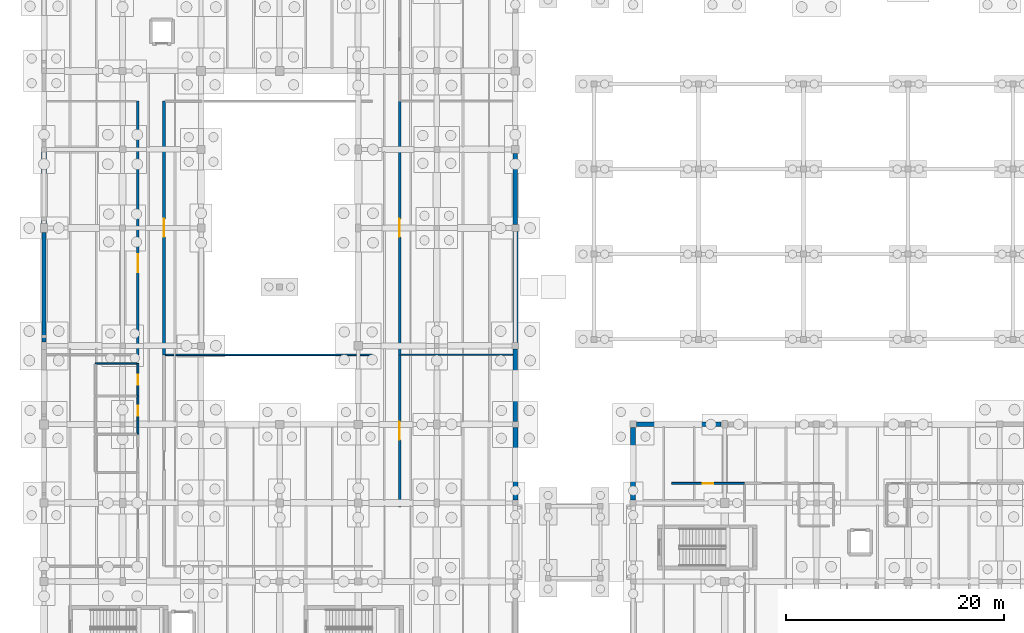
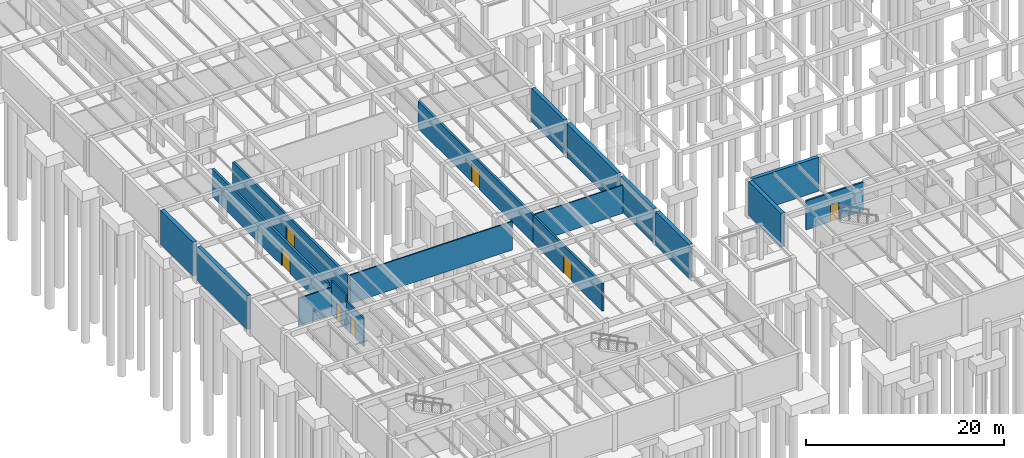
# One storey, part 41 of 63: 18 walls, 7 doors, 7 openings.
"""IFC4 building model written with IfcOpenShell, lengths in metres."""

from ifc_helpers import new_model, si_unit, direction, frame, frame_2d, origin, place, context, subcontext, project, spatial, rectangle, extrude, material, layer, layer_set, type_object, element, fill, save


model = new_model("IFC4")

# Units and contexts
model_context = context("Model", 3, precision=1e-05, world=origin(), true_north=direction((0.0, 1.0)))
body_context = subcontext(model_context, "Body", "Model", "MODEL_VIEW")
ifc_project = project(units=[si_unit("LENGTHUNIT", "METRE"), si_unit("AREAUNIT", "SQUARE_METRE"), si_unit("VOLUMEUNIT", "CUBIC_METRE"), si_unit("PLANEANGLEUNIT", "RADIAN"), si_unit("MASSUNIT", "GRAM", prefix="KILO")], contexts=[model_context])

# Site, building, storey
site_placement = place(None, origin())
site = spatial("IfcSite", under=ifc_project, at=site_placement, CompositionType="ELEMENT")
building_placement = place(site_placement, origin())
building = spatial("IfcBuilding", under=site, at=building_placement, Name="Mazaris Harbour Polytechnic", CompositionType="ELEMENT")
storey_placement = place(building_placement, frame((0.0, 0.0, -4.5)))
storey = spatial("IfcBuildingStorey", under=building, at=storey_placement, Name="B1", CompositionType="ELEMENT", Elevation=-4.5)

# Wall
ifc_material_1 = material(Name="Gypsum Board and Mineral Wool")
ifc_layer_1 = layer(ifc_material_1, 0.1201171875, Name="Gypsum Board and Mineral Wool")
ifc_layer_set_1 = layer_set([ifc_layer_1], Name="Gypsum Board and Mineral Wool")
wall_type_1 = type_object("IfcWallType", Name="Acoustic Stud Partition 120", PredefinedType="PARTITIONING", material=ifc_layer_set_1)
wall_1_placement = place(storey_placement, frame((32.72998046875, 42.375, 0.0), z_axis=(0.0, 0.0, 1.0), x_axis=(1.0, 0.0, 0.0)))
element("IfcWall", 1, at=wall_1_placement, inside=storey, type_object=wall_type_1, Name="V4 B1 Partition 274", PredefinedType="PARTITIONING", context=body_context, shape_type="SweptSolid", body=[
    extrude(rectangle(XDim=10.219970703125, YDim=0.1201171875, at=frame_2d((5.10986328125, 0.0))), origin(), (0.0, 0.0, 1.0), 3.47998046875),
])

# Wall, opening, door
ifc_material_2 = material(Name="Concrete C35/45", Category="concrete")
ifc_layer_2 = layer(ifc_material_2, 0.239990234375, Name="Concrete C35/45")
ifc_layer_set_2 = layer_set([ifc_layer_2], Name="Concrete C35/45")
wall_type_2 = type_object("IfcWallType", Name="Archive Vault Fire Wall 240", PredefinedType="STANDARD", material=ifc_layer_set_2)
wall_2_placement = place(storey_placement, frame((8.60009765625, 42.375, 0.0), z_axis=(0.0, 0.0, 1.0), x_axis=(0.0, 1.0, 0.0)))
wall_2 = element("IfcWall", 2, at=wall_2_placement, inside=storey, type_object=wall_type_2, Name="V4 B1 Partition 257", PredefinedType="STANDARD", context=body_context, shape_type="SweptSolid", body=[
    extrude(rectangle(XDim=23.25, YDim=0.239990234375, at=frame_2d((11.625, 0.0))), origin(), (0.0, 0.0, 1.0), 3.429931640625),
])
opening_1_placement = place(wall_2_placement, frame((7.56005859375, 0.0, 0.0)))
opening_1 = element("IfcOpeningElement", 3, at=opening_1_placement, cuts=wall_2, Name="Opening ID-06D", PredefinedType="OPENING", context=body_context, shape_type="SweptSolid", body=[
    extrude(rectangle(XDim=1.64990234375, YDim=2.25, at=frame_2d((0.824951171875, 1.125))), frame((0.0, 0.1298828125, 0.0), z_axis=(0.0, -1.0, 0.0), x_axis=(1.0, 0.0, 0.0)), (0.0, 0.0, 1.0), 0.260009765625),
])
ifc_material_3 = material(Name="Galvanised Steel S355", Category="steel")
door_type_1 = type_object("IfcDoorType", Name="Plant and Substation Double Door 1650x2250", OperationType="DOUBLE_DOOR_SINGLE_SWING", PredefinedType="DOOR", material=ifc_material_3)
door_1_placement = place(opening_1_placement, origin())
door_1 = element("IfcDoor", 4, at=door_1_placement, inside=storey, type_object=door_type_1, Name="ID-0116", OperationType="DOUBLE_DOOR_SINGLE_SWING", OverallHeight=2.25, OverallWidth=1.64990234375, PredefinedType="DOOR", context=body_context, shape_type="SweptSolid", body=[
    extrude(rectangle(XDim=1.64990234375, YDim=2.25, at=frame_2d((0.824951171875, 1.125))), frame((0.0, 0.02490234375, 0.0), z_axis=(0.0, -1.0, 0.0), x_axis=(1.0, 0.0, 0.0)), (0.0, 0.0, 1.0), 0.050048828125),
])
fill(opening_1, door_1)

wall_3_placement = place(storey_placement, frame((11.0, 42.3798828125, 0.0), z_axis=(0.0, 0.0, 1.0), x_axis=(0.0, 1.0, 0.0)))
wall_3 = element("IfcWall", 5, at=wall_3_placement, inside=storey, type_object=wall_type_2, Name="V4 B1 Partition 266", PredefinedType="STANDARD", context=body_context, shape_type="SweptSolid", body=[
    extrude(rectangle(XDim=23.2451171875, YDim=0.239990234375, at=frame_2d((11.62255859375, 0.0))), origin(), (0.0, 0.0, 1.0), 3.429931640625),
])
opening_2_placement = place(wall_3_placement, frame((10.797607421875, 0.0, 0.0)))
opening_2 = element("IfcOpeningElement", 6, at=opening_2_placement, cuts=wall_3, Name="Opening ID-06D", PredefinedType="OPENING", context=body_context, shape_type="SweptSolid", body=[
    extrude(rectangle(XDim=1.64990234375, YDim=2.25, at=frame_2d((0.824951171875, 1.125))), frame((0.0, 0.1298828125, 0.0), z_axis=(0.0, -1.0, 0.0), x_axis=(1.0, 0.0, 0.0)), (0.0, 0.0, 1.0), 0.260009765625),
])
door_2_placement = place(opening_2_placement, origin())
door_2 = element("IfcDoor", 7, at=door_2_placement, inside=storey, type_object=door_type_1, Name="ID-0121", OperationType="DOUBLE_DOOR_SINGLE_SWING", OverallHeight=2.25, OverallWidth=1.64990234375, PredefinedType="DOOR", context=body_context, shape_type="SweptSolid", body=[
    extrude(rectangle(XDim=1.64990234375, YDim=2.25, at=frame_2d((0.824951171875, 1.125))), frame((0.0, 0.02490234375, 0.0), z_axis=(0.0, -1.0, 0.0), x_axis=(1.0, 0.0, 0.0)), (0.0, 0.0, 1.0), 0.050048828125),
])
fill(opening_2, door_2)

wall_4_placement = place(storey_placement, frame((32.60009765625, 28.419921875, 0.0), z_axis=(0.0, 0.0, 1.0), x_axis=(0.0, 1.0, 0.0)))
wall_4 = element("IfcWall", 8, at=wall_4_placement, inside=storey, type_object=wall_type_2, Name="V4 B1 Partition 273", PredefinedType="STANDARD", context=body_context, shape_type="SweptSolid", body=[
    extrude(rectangle(XDim=13.955078125, YDim=0.239990234375, at=frame_2d((6.9775390625, 0.0))), origin(), (0.0, 0.0, 1.0), 3.3798828125),
])
opening_3_placement = place(wall_4_placement, frame((6.152587890625, 0.0, 0.0)))
opening_3 = element("IfcOpeningElement", 9, at=opening_3_placement, cuts=wall_4, Name="Opening ID-06D", PredefinedType="OPENING", context=body_context, shape_type="SweptSolid", body=[
    extrude(rectangle(XDim=1.64990234375, YDim=2.25, at=frame_2d((0.824951171875, 1.125))), frame((0.0, 0.1298828125, 0.0), z_axis=(0.0, -1.0, 0.0), x_axis=(1.0, 0.0, 0.0)), (0.0, 0.0, 1.0), 0.260009765625),
])
door_3_placement = place(opening_3_placement, origin())
door_3 = element("IfcDoor", 10, at=door_3_placement, inside=storey, type_object=door_type_1, Name="ID-0125", OperationType="DOUBLE_DOOR_SINGLE_SWING", OverallHeight=2.25, OverallWidth=1.64990234375, PredefinedType="DOOR", context=body_context, shape_type="SweptSolid", body=[
    extrude(rectangle(XDim=1.64990234375, YDim=2.25, at=frame_2d((0.824951171875, 1.125))), frame((0.0, 0.02490234375, 0.0), z_axis=(0.0, -1.0, 0.0), x_axis=(1.0, 0.0, 0.0)), (0.0, 0.0, 1.0), 0.050048828125),
])
fill(opening_3, door_3)

wall_5_placement = place(storey_placement, frame((32.60009765625, 42.3798828125, 0.0), z_axis=(0.0, 0.0, 1.0), x_axis=(0.0, 1.0, 0.0)))
wall_5 = element("IfcWall", 11, at=wall_5_placement, inside=storey, type_object=wall_type_2, Name="V4 B1 Partition 275", PredefinedType="STANDARD", context=body_context, shape_type="SweptSolid", body=[
    extrude(rectangle(XDim=23.2451171875, YDim=0.239990234375, at=frame_2d((11.62255859375, 0.0))), origin(), (0.0, 0.0, 1.0), 3.3798828125),
])
opening_4_placement = place(wall_5_placement, frame((10.797607421875, 0.0, 0.0)))
opening_4 = element("IfcOpeningElement", 12, at=opening_4_placement, cuts=wall_5, Name="Opening ID-06D", PredefinedType="OPENING", context=body_context, shape_type="SweptSolid", body=[
    extrude(rectangle(XDim=1.64990234375, YDim=2.25, at=frame_2d((0.824951171875, 1.125))), frame((0.0, 0.1298828125, 0.0), z_axis=(0.0, -1.0, 0.0), x_axis=(1.0, 0.0, 0.0)), (0.0, 0.0, 1.0), 0.260009765625),
])
door_4_placement = place(opening_4_placement, origin())
door_4 = element("IfcDoor", 13, at=door_4_placement, inside=storey, type_object=door_type_1, Name="ID-0126", OperationType="DOUBLE_DOOR_SINGLE_SWING", OverallHeight=2.25, OverallWidth=1.64990234375, PredefinedType="DOOR", context=body_context, shape_type="SweptSolid", body=[
    extrude(rectangle(XDim=1.64990234375, YDim=2.25, at=frame_2d((0.824951171875, 1.125))), frame((0.0, 0.02490234375, 0.0), z_axis=(0.0, -1.0, 0.0), x_axis=(1.0, 0.0, 0.0)), (0.0, 0.0, 1.0), 0.050048828125),
])
fill(opening_4, door_4)

# Wall
ifc_material_4 = material(Name="Double Gypsum and Mineral Wool")
ifc_layer_3 = layer(ifc_material_4, 0.14990234375, Name="Double Gypsum and Mineral Wool")
ifc_layer_set_3 = layer_set([ifc_layer_3], Name="Double Gypsum and Mineral Wool")
wall_type_3 = type_object("IfcWallType", Name="Classroom Acoustic Partition 150", PredefinedType="PARTITIONING", material=ifc_layer_set_3)
wall_6_placement = place(storey_placement, frame((11.1298828125, 42.375, 0.0), z_axis=(0.0, 0.0, 1.0), x_axis=(1.0, 0.0, 0.0)))
element("IfcWall", 14, at=wall_6_placement, inside=storey, type_object=wall_type_3, Name="V4 B1 Partition 265", PredefinedType="PARTITIONING", context=body_context, shape_type="SweptSolid", body=[
    extrude(rectangle(XDim=18.9501953125, YDim=0.14990234375, at=frame_2d((9.47509765625, 0.0))), origin(), (0.0, 0.0, 1.0), 3.530029296875),
])

# Wall, opening, door
ifc_material_5 = material(Name="Terracotta Block and Plaster", Category="masonry")
ifc_layer_4 = layer(ifc_material_5, 0.179931640625, Name="Terracotta Block and Plaster")
ifc_layer_set_4 = layer_set([ifc_layer_4], Name="Terracotta Block and Plaster")
wall_type_4 = type_object("IfcWallType", Name="Corridor Fire Partition 180", PredefinedType="PARTITIONING", material=ifc_layer_set_4)
wall_7_placement = place(storey_placement, frame((57.52001953125, 30.60009765625, 0.0), z_axis=(0.0, 0.0, 1.0), x_axis=(1.0, 0.0, 0.0)))
wall_7 = element("IfcWall", 15, at=wall_7_placement, inside=storey, type_object=wall_type_4, Name="V3 B1 Partition 179", PredefinedType="PARTITIONING", context=body_context, shape_type="SweptSolid", body=[
    extrude(rectangle(XDim=6.677978515625, YDim=0.179931640625, at=frame_2d((3.3388671875, 0.0))), origin(), (0.0, 0.0, 1.0), 3.580078125),
])
opening_5_placement = place(wall_7_placement, frame((2.85888671875, 0.0, 0.0)))
opening_5 = element("IfcOpeningElement", 16, at=opening_5_placement, cuts=wall_7, Name="Opening ID-01R", PredefinedType="OPENING", context=body_context, shape_type="SweptSolid", body=[
    extrude(rectangle(XDim=0.9599609375, YDim=2.14990234375, at=frame_2d((0.47998046875, 1.074951171875))), frame((0.0, 0.099853515625, 0.0), z_axis=(0.0, -1.0, 0.0), x_axis=(1.0, 0.0, 0.0)), (0.0, 0.0, 1.0), 0.199951171875),
])
ifc_material_6 = material(Name="Solid Oak Timber", Category="wood")
door_type_2 = type_object("IfcDoorType", Name="Classroom Single Door RH 960x2150", OperationType="SINGLE_SWING_RIGHT", PredefinedType="DOOR", material=ifc_material_6)
door_5_placement = place(opening_5_placement, origin())
door_5 = element("IfcDoor", 17, at=door_5_placement, inside=storey, type_object=door_type_2, Name="ID-0083", OperationType="SINGLE_SWING_RIGHT", OverallHeight=2.14990234375, OverallWidth=0.9599609375, PredefinedType="DOOR", context=body_context, shape_type="SweptSolid", body=[
    extrude(rectangle(XDim=0.9599609375, YDim=2.14990234375, at=frame_2d((0.47998046875, 1.074951171875))), frame((0.0, 0.02490234375, 0.0), z_axis=(0.0, -1.0, 0.0), x_axis=(1.0, 0.0, 0.0)), (0.0, 0.0, 1.0), 0.050048828125),
])
fill(opening_5, door_5)

ifc_material_7 = material(Name="Moisture-Resistant Blockwork", Category="masonry")
ifc_layer_5 = layer(ifc_material_7, 0.175048828125, Name="Moisture-Resistant Blockwork")
ifc_layer_set_5 = layer_set([ifc_layer_5], Name="Moisture-Resistant Blockwork")
wall_type_5 = type_object("IfcWallType", Name="Laboratory Wet Service Wall 175", PredefinedType="PLUMBINGWALL", material=ifc_layer_set_5)
wall_8_placement = place(storey_placement, frame((8.60009765625, 35.10498046875, 0.0), z_axis=(0.0, 0.0, 1.0), x_axis=(0.0, 1.0, 0.0)))
wall_8 = element("IfcWall", 18, at=wall_8_placement, inside=storey, type_object=wall_type_5, Name="V4 B1 Partition 247", PredefinedType="PLUMBINGWALL", context=body_context, shape_type="SweptSolid", body=[
    extrude(rectangle(XDim=3.4951171875, YDim=0.175048828125, at=frame_2d((1.74755859375, 0.0))), origin(), (0.0, 0.0, 1.0), 3.47998046875),
])
opening_6_placement = place(wall_8_placement, frame((1.686767578125, 0.0, 0.0)))
opening_6 = element("IfcOpeningElement", 19, at=opening_6_placement, cuts=wall_8, Name="Opening ID-07R", PredefinedType="OPENING", context=body_context, shape_type="SweptSolid", body=[
    extrude(rectangle(XDim=0.89990234375, YDim=2.10009765625, at=frame_2d((0.449951171875, 1.050048828125))), frame((0.0, 0.097412109375, 0.0), z_axis=(0.0, -1.0, 0.0), x_axis=(1.0, 0.0, 0.0)), (0.0, 0.0, 1.0), 0.195068359375),
])
ifc_material_8 = material(Name="Moisture-Resistant Laminate Timber", Category="wood")
door_type_3 = type_object("IfcDoorType", Name="Sanitary Room Door RH 900x2100", OperationType="SINGLE_SWING_RIGHT", PredefinedType="DOOR", material=ifc_material_8)
door_6_placement = place(opening_6_placement, origin())
door_6 = element("IfcDoor", 20, at=door_6_placement, inside=storey, type_object=door_type_3, Name="ID-0112", OperationType="SINGLE_SWING_RIGHT", OverallHeight=2.10009765625, OverallWidth=0.89990234375, PredefinedType="DOOR", context=body_context, shape_type="SweptSolid", body=[
    extrude(rectangle(XDim=0.89990234375, YDim=2.10009765625, at=frame_2d((0.449951171875, 1.050048828125))), frame((0.0, 0.02490234375, 0.0), z_axis=(0.0, -1.0, 0.0), x_axis=(1.0, 0.0, 0.0)), (0.0, 0.0, 1.0), 0.050048828125),
])
fill(opening_6, door_6)

wall_9_placement = place(storey_placement, frame((8.60009765625, 38.60498046875, 0.0), z_axis=(0.0, 0.0, 1.0), x_axis=(0.0, 1.0, 0.0)))
wall_9 = element("IfcWall", 21, at=wall_9_placement, inside=storey, type_object=wall_type_5, Name="V4 B1 Partition 250", PredefinedType="PLUMBINGWALL", context=body_context, shape_type="SweptSolid", body=[
    extrude(rectangle(XDim=2.9951171875, YDim=0.175048828125, at=frame_2d((1.49755859375, 0.0))), origin(), (0.0, 0.0, 1.0), 4.179931640625),
])
opening_7_placement = place(wall_9_placement, frame((1.03759765625, 0.0, 0.0)))
opening_7 = element("IfcOpeningElement", 22, at=opening_7_placement, cuts=wall_9, Name="Opening ID-07L", PredefinedType="OPENING", context=body_context, shape_type="SweptSolid", body=[
    extrude(rectangle(XDim=0.919921875, YDim=2.10009765625, at=frame_2d((0.4599609375, 1.050048828125))), frame((0.0, 0.097412109375, 0.0), z_axis=(0.0, -1.0, 0.0), x_axis=(1.0, 0.0, 0.0)), (0.0, 0.0, 1.0), 0.195068359375),
])
ifc_material_9 = material(Name="Moisture-Resistant Laminate Timber", Category="wood")
door_type_4 = type_object("IfcDoorType", Name="Accessible Toilet Door LH 920x2100", OperationType="SINGLE_SWING_LEFT", PredefinedType="DOOR", material=ifc_material_9)
door_7_placement = place(opening_7_placement, origin())
door_7 = element("IfcDoor", 23, at=door_7_placement, inside=storey, type_object=door_type_4, Name="ID-0113", OperationType="SINGLE_SWING_LEFT", OverallHeight=2.10009765625, OverallWidth=0.919921875, PredefinedType="DOOR", context=body_context, shape_type="SweptSolid", body=[
    extrude(rectangle(XDim=0.919921875, YDim=2.10009765625, at=frame_2d((0.4599609375, 1.050048828125))), frame((0.0, 0.02490234375, 0.0), z_axis=(0.0, -1.0, 0.0), x_axis=(1.0, 0.0, 0.0)), (0.0, 0.0, 1.0), 0.050048828125),
])
fill(opening_7, door_7)

# Walls
ifc_material_10 = material(Name="Concrete C35/45", Category="concrete")
ifc_layer_6 = layer(ifc_material_10, 0.39990234375, Name="Concrete C35/45")
ifc_layer_set_6 = layer_set([ifc_layer_6], Name="Concrete C35/45")
wall_type_6 = type_object("IfcWallType", Name="RC Basement Retaining Wall 400", PredefinedType="USERDEFINED", material=ifc_layer_set_6)
wall_10_placement = place(storey_placement, frame((54.300048828125, 36.0, 0.0), z_axis=(0.0, 0.0, 1.0), x_axis=(1.0, 0.0, 0.0)))
element("IfcWall", 24, at=wall_10_placement, inside=storey, type_object=wall_type_6, Name="V3 B1 Retaining Wall 56", ObjectType="RETAINING WALL", PredefinedType="USERDEFINED", context=body_context, shape_type="SweptSolid", body=[
    extrude(rectangle(XDim=7.75, YDim=0.39990234375, at=frame_2d((3.875, 0.0))), origin(), (0.0, 0.0, 1.0), 4.179931640625),
])
wall_11_placement = place(storey_placement, frame((0.0, 43.550048828125, 0.0), z_axis=(0.0, 0.0, 1.0), x_axis=(0.0, 1.0, 0.0)))
element("IfcWall", 25, at=wall_11_placement, inside=storey, type_object=wall_type_6, Name="V4 B1 Retaining Wall 86", ObjectType="RETAINING WALL", PredefinedType="USERDEFINED", context=body_context, shape_type="SweptSolid", body=[
    extrude(rectangle(XDim=10.02490234375, YDim=0.39990234375, at=frame_2d((5.012451171875, 0.0))), origin(), (0.0, 0.0, 1.0), 4.179931640625),
])
wall_12_placement = place(storey_placement, frame((43.199951171875, 36.27490234375, 0.0), z_axis=(0.0, 0.0, 1.0), x_axis=(0.0, 1.0, 0.0)))
element("IfcWall", 26, at=wall_12_placement, inside=storey, type_object=wall_type_6, Name="V4 B1 Retaining Wall 96", ObjectType="RETAINING WALL", PredefinedType="USERDEFINED", context=body_context, shape_type="SweptSolid", body=[
    extrude(rectangle(XDim=6.625, YDim=0.39990234375, at=frame_2d((3.3125, 0.0))), origin(), (0.0, 0.0, 1.0), 4.179931640625),
])
wall_13_placement = place(storey_placement, frame((43.199951171875, 54.324951171875, 0.0), z_axis=(0.0, 0.0, 1.0), x_axis=(0.0, 1.0, 0.0)))
element("IfcWall", 27, at=wall_13_placement, inside=storey, type_object=wall_type_6, Name="V4 B1 Retaining Wall 98", ObjectType="RETAINING WALL", PredefinedType="USERDEFINED", context=body_context, shape_type="SweptSolid", body=[
    extrude(rectangle(XDim=6.525146484375, YDim=0.39990234375, at=frame_2d((3.2626953125, 0.0))), origin(), (0.0, 0.0, 1.0), 4.179931640625),
])
ifc_material_11 = material(Name="Concrete C35/45", Category="concrete")
ifc_layer_7 = layer(ifc_material_11, 0.449951171875, Name="Concrete C35/45")
ifc_layer_set_7 = layer_set([ifc_layer_7], Name="Concrete C35/45")
wall_type_7 = type_object("IfcWallType", Name="RC Basement Retaining Wall 450", PredefinedType="USERDEFINED", material=ifc_layer_set_7)
wall_14_placement = place(storey_placement, frame((54.0, 29.074951171875, 0.0), z_axis=(0.0, 0.0, 1.0), x_axis=(0.0, 1.0, 0.0)))
element("IfcWall", 28, at=wall_14_placement, inside=storey, type_object=wall_type_7, Name="V3 B1 Retaining Wall 65", ObjectType="RETAINING WALL", PredefinedType="USERDEFINED", context=body_context, shape_type="SweptSolid", body=[
    extrude(rectangle(XDim=6.625, YDim=0.449951171875, at=frame_2d((3.3125, 0.0))), origin(), (0.0, 0.0, 1.0), 4.179931640625),
])
wall_15_placement = place(storey_placement, frame((0.0, 54.425048828125, 0.0), z_axis=(0.0, 0.0, 1.0), x_axis=(0.0, 1.0, 0.0)))
element("IfcWall", 29, at=wall_15_placement, inside=storey, type_object=wall_type_7, Name="V4 B1 Retaining Wall 87", ObjectType="RETAINING WALL", PredefinedType="USERDEFINED", context=body_context, shape_type="SweptSolid", body=[
    extrude(rectangle(XDim=6.550048828125, YDim=0.449951171875, at=frame_2d((3.27490234375, 0.0))), origin(), (0.0, 0.0, 1.0), 4.179931640625),
])
wall_16_placement = place(storey_placement, frame((43.199951171875, 29.050048828125, 0.0), z_axis=(0.0, 0.0, 1.0), x_axis=(0.0, 1.0, 0.0)))
element("IfcWall", 30, at=wall_16_placement, inside=storey, type_object=wall_type_7, Name="V4 B1 Retaining Wall 95", ObjectType="RETAINING WALL", PredefinedType="USERDEFINED", context=body_context, shape_type="SweptSolid", body=[
    extrude(rectangle(XDim=6.675048828125, YDim=0.449951171875, at=frame_2d((3.33740234375, 0.0))), origin(), (0.0, 0.0, 1.0), 4.179931640625),
])
wall_17_placement = place(storey_placement, frame((43.199951171875, 43.5, 0.0), z_axis=(0.0, 0.0, 1.0), x_axis=(0.0, 1.0, 0.0)))
element("IfcWall", 31, at=wall_17_placement, inside=storey, type_object=wall_type_7, Name="V4 B1 Retaining Wall 97", ObjectType="RETAINING WALL", PredefinedType="USERDEFINED", context=body_context, shape_type="SweptSolid", body=[
    extrude(rectangle(XDim=10.175048828125, YDim=0.449951171875, at=frame_2d((5.08740234375, 0.0))), origin(), (0.0, 0.0, 1.0), 4.179931640625),
])
ifc_material_12 = material(Name="Moisture-Resistant Gypsum and Steel Stud", Category="steel")
ifc_layer_8 = layer(ifc_material_12, 0.14501953125, Name="Moisture-Resistant Gypsum and Steel Stud")
ifc_layer_set_8 = layer_set([ifc_layer_8], Name="Moisture-Resistant Gypsum and Steel Stud")
wall_type_8 = type_object("IfcWallType", Name="Sanitary Plumbing Wall 145", PredefinedType="PLUMBINGWALL", material=ifc_layer_set_8)
wall_18_placement = place(storey_placement, frame((4.699951171875, 41.60009765625, 0.0), z_axis=(0.0, 0.0, 1.0), x_axis=(1.0, 0.0, 0.0)))
element("IfcWall", 32, at=wall_18_placement, inside=storey, type_object=wall_type_8, Name="V4 B1 Partition 251", PredefinedType="PLUMBINGWALL", context=body_context, shape_type="SweptSolid", body=[
    extrude(rectangle(XDim=3.780029296875, YDim=0.14501953125, at=frame_2d((1.89013671875, 0.0))), origin(), (0.0, 0.0, 1.0), 3.3798828125),
])

save(model, "model.ifc")
